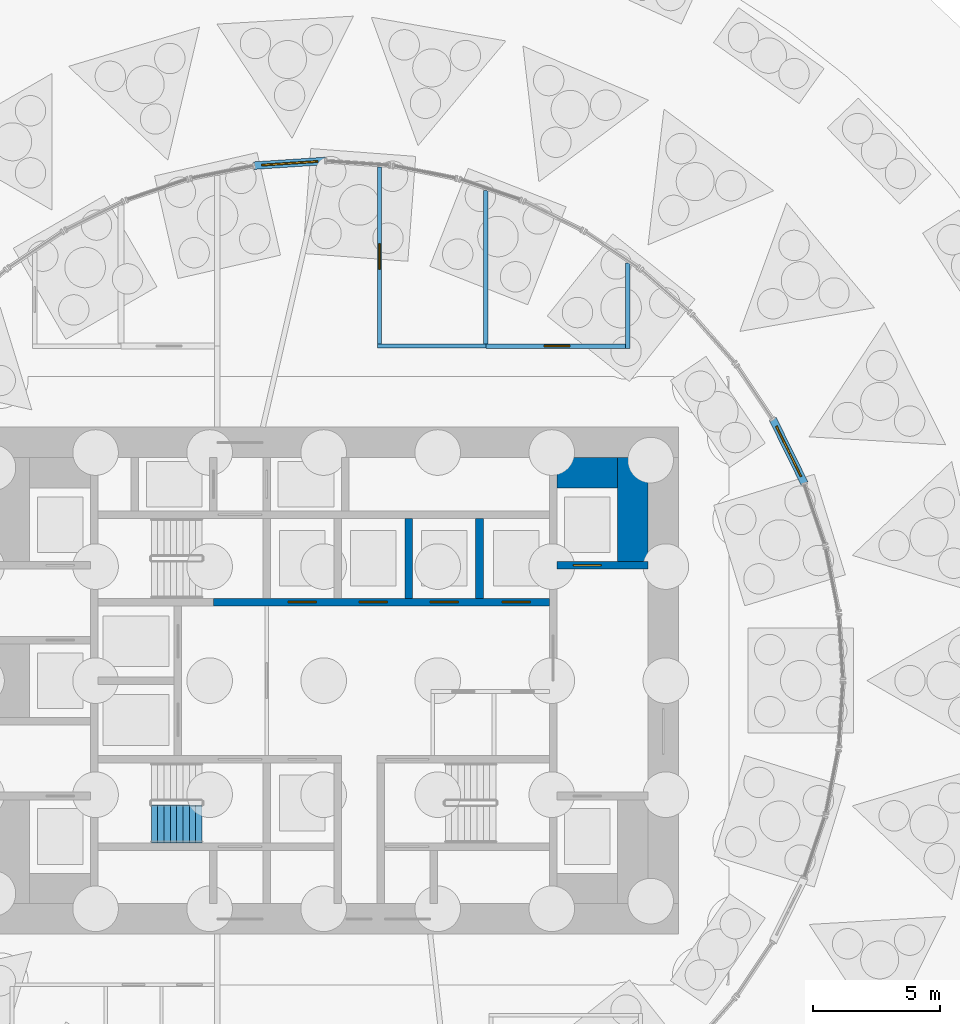
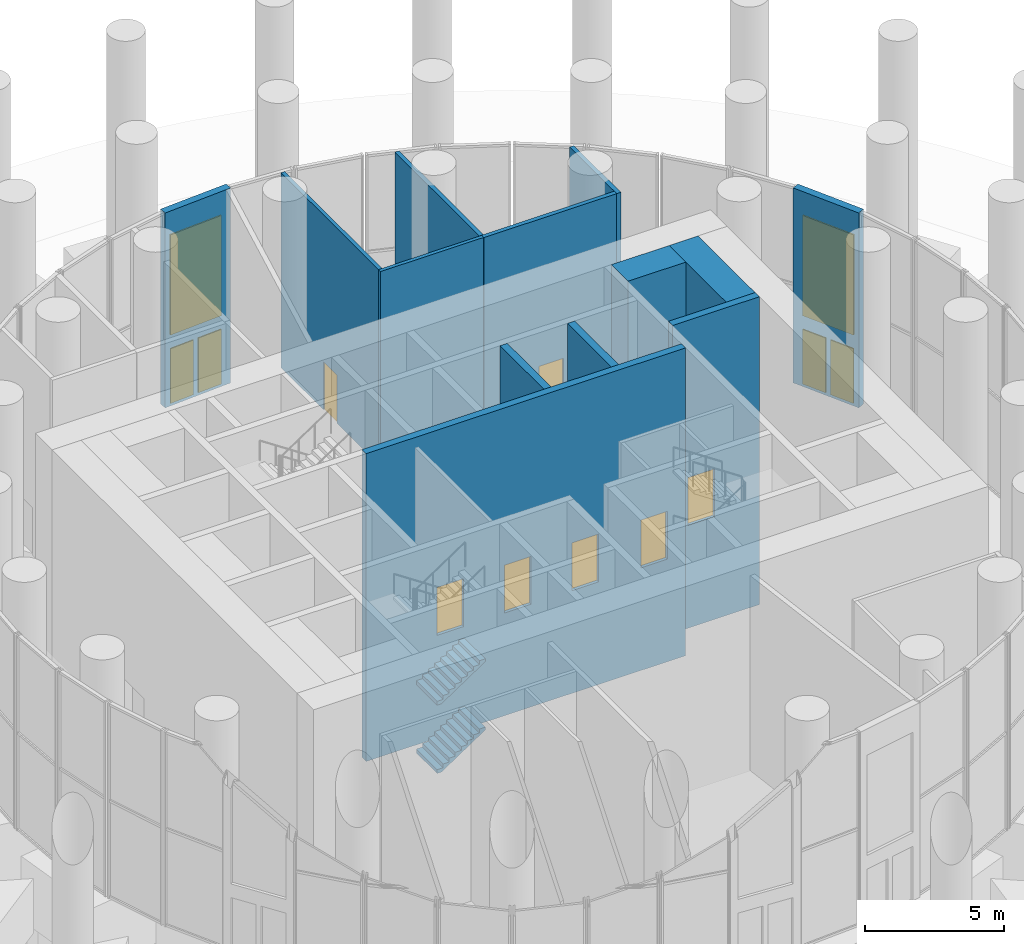
# One storey, part 15 of 20: 13 walls, 11 doors, 2 stair flights, 2 windows, 13 openings, 1 element without a shape of its own.
"""IFC4 building model written with IfcOpenShell, lengths in metres."""

from ifc_helpers import new_model, si_unit, direction, frame, frame_2d, origin, place, context, subcontext, project, spatial, polyline, rectangle, outline, extrude, material, layer, layer_set, type_object, element, fill, aggregate, save


model = new_model("IFC4")

# Units and contexts
model_context = context("Model", 3, precision=1e-05, world=origin(), true_north=direction((0.0, 1.0)))
body_context = subcontext(model_context, "Body", "Model", "MODEL_VIEW")
ifc_project = project(units=[si_unit("LENGTHUNIT", "METRE"), si_unit("AREAUNIT", "SQUARE_METRE"), si_unit("VOLUMEUNIT", "CUBIC_METRE"), si_unit("PLANEANGLEUNIT", "RADIAN"), si_unit("MASSUNIT", "GRAM", prefix="KILO")], contexts=[model_context])

# Site, building, storey
site_placement = place(None, origin())
site = spatial("IfcSite", under=ifc_project, at=site_placement, CompositionType="ELEMENT")
building_placement = place(site_placement, origin())
building = spatial("IfcBuilding", under=site, at=building_placement, Name="Tracery Tower", CompositionType="ELEMENT")
storey_placement = place(building_placement, origin())
storey = spatial("IfcBuildingStorey", under=building, at=storey_placement, Name="L00", CompositionType="ELEMENT", Elevation=0.0)

# Wall
ifc_material_1 = material(Name="Plasterboard on steel studs", Category="steel")
ifc_layer_1 = layer(ifc_material_1, 0.175048828125)
ifc_layer_set_1 = layer_set([ifc_layer_1], Name="Compartment partition 175")
wall_type_1 = type_object("IfcWallType", Name="Compartment partition 175", PredefinedType="PARTITIONING", material=ifc_layer_set_1)
wall_1_placement = place(storey_placement, frame((6.39990234375, 19.34423828125, 0.0), z_axis=(0.0, 0.0, 1.0), x_axis=(0.0, -1.0, 0.0)))
element("IfcWall", 1, at=wall_1_placement, inside=storey, type_object=wall_type_1, Name="Compartment partition 175", PredefinedType="PARTITIONING", context=body_context, shape_type="SweptSolid", body=[
    extrude(rectangle(XDim=6.056640625, YDim=0.175048828125, at=frame_2d((3.0283203125, 0.0))), origin(), (0.0, 0.0, 1.0), 8.550048828125),
])

# Wall, opening, door
wall_2_placement = place(storey_placement, frame((6.39990234375, 13.199951171875, 0.0), z_axis=(0.0, 0.0, 1.0), x_axis=(1.0, 0.0, 0.0)))
wall_2 = element("IfcWall", 2, at=wall_2_placement, inside=storey, type_object=wall_type_1, Name="Compartment partition 175", PredefinedType="PARTITIONING", context=body_context, shape_type="SweptSolid", body=[
    extrude(rectangle(XDim=5.5126953125, YDim=0.175048828125, at=frame_2d((2.75634765625, 0.0))), origin(), (0.0, 0.0, 1.0), 8.550048828125),
])
opening_1_placement = place(wall_2_placement, frame((2.300048828125, 0.0, 0.0)))
opening_1 = element("IfcOpeningElement", 3, at=opening_1_placement, cuts=wall_2, Name="Opening SB-L00-03", PredefinedType="OPENING", context=body_context, shape_type="SweptSolid", body=[
    extrude(rectangle(XDim=1.0, YDim=2.10009765625, at=frame_2d((0.5, 1.050048828125))), frame((0.0, 0.08740234375, 0.0), z_axis=(0.0, -1.0, 0.0), x_axis=(1.0, 0.0, 0.0)), (0.0, 0.0, 1.0), 0.175048828125),
])
ifc_material_2 = material(Name="Timber door leaf", Category="wood")
door_type_1 = type_object("IfcDoorType", Name="Public room door 1000", OperationType="NOTDEFINED", PredefinedType="DOOR", material=ifc_material_2)
door_1_placement = place(opening_1_placement, origin())
door_1 = element("IfcDoor", 4, at=door_1_placement, inside=storey, type_object=door_type_1, Name="Public room door 1000", OperationType="SINGLE_SWING_RIGHT", OverallHeight=2.10009765625, OverallWidth=1.0, PredefinedType="DOOR", context=body_context, shape_type="SweptSolid", body=[
    extrude(rectangle(XDim=1.0, YDim=2.10009765625, at=frame_2d((0.5, 1.050048828125))), frame((0.0, 0.02490234375, 0.0), z_axis=(0.0, -1.0, 0.0), x_axis=(1.0, 0.0, 0.0)), (0.0, 0.0, 1.0), 0.050048828125),
])
fill(opening_1, door_1)

# Walls
wall_3_placement = place(storey_placement, frame((12.0, 16.486328125, 0.0), z_axis=(0.0, 0.0, 1.0), x_axis=(0.0, -1.0, 0.0)))
element("IfcWall", 5, at=wall_3_placement, inside=storey, type_object=wall_type_1, Name="Compartment partition 175", PredefinedType="PARTITIONING", context=body_context, shape_type="SweptSolid", body=[
    extrude(rectangle(XDim=3.373779296875, YDim=0.175048828125, at=frame_2d((1.68701171875, 0.0))), origin(), (0.0, 0.0, 1.0), 8.550048828125),
])
ifc_material_3 = material(Name="Concrete C60/75", Category="concrete")
ifc_layer_2 = layer(ifc_material_3, 1.199951171875)
ifc_layer_set_2 = layer_set([ifc_layer_2], Name="Core strip wall 1200 C60 from pit")
wall_type_2 = type_object("IfcWallType", Name="Core strip wall 1200 C60 from pit", PredefinedType="SOLIDWALL", material=ifc_layer_set_2)
wall_4_placement = place(storey_placement, frame((12.199951171875, 4.699951171875, -4.5), z_axis=(0.0, 0.0, 1.0), x_axis=(0.0, 1.0, 0.0)))
element("IfcWall", 6, at=wall_4_placement, inside=storey, type_object=wall_type_2, Name="L00 wing strip +1 4.55", PredefinedType="SOLIDWALL", context=body_context, shape_type="SweptSolid", body=[
    extrude(rectangle(XDim=4.10009765625, YDim=1.199951171875, at=frame_2d((2.050048828125, 0.0))), origin(), (0.0, 0.0, 1.0), 13.5),
])
wall_5_placement = place(storey_placement, frame((9.199951171875, 8.199951171875, -4.5), z_axis=(0.0, 0.0, 1.0), x_axis=(1.0, 0.0, 0.0)))
element("IfcWall", 7, at=wall_5_placement, inside=storey, type_object=wall_type_2, Name="L00 wing corner +1 +8.2", PredefinedType="SOLIDWALL", context=body_context, shape_type="SweptSolid", body=[
    extrude(rectangle(XDim=2.400146484375, YDim=1.199951171875, at=frame_2d((1.2001953125, 0.0))), origin(), (0.0, 0.0, 1.0), 13.5),
])

# Wall, opening, door
ifc_material_4 = material(Name="Plasterboard on steel studs", Category="steel")
ifc_layer_3 = layer(ifc_material_4, 0.14990234375)
ifc_layer_set_3 = layer_set([ifc_layer_3], Name="Corridor partition 150")
wall_type_3 = type_object("IfcWallType", Name="Corridor partition 150", PredefinedType="PARTITIONING", material=ifc_layer_set_3)
wall_6_placement = place(storey_placement, frame((2.199951171875, 20.2744140625, 0.0), z_axis=(0.0, 0.0, 1.0), x_axis=(0.0, -1.0, 0.0)))
wall_6 = element("IfcWall", 8, at=wall_6_placement, inside=storey, type_object=wall_type_3, Name="Corridor partition 150", PredefinedType="PARTITIONING", context=body_context, shape_type="SweptSolid", body=[
    extrude(rectangle(XDim=6.99951171875, YDim=0.14990234375, at=frame_2d((3.499755859375, 0.0))), origin(), (0.0, 0.0, 1.0), 8.550048828125),
])
opening_2_placement = place(wall_6_placement, frame((3.037109375, 0.0, 0.0)))
opening_2 = element("IfcOpeningElement", 9, at=opening_2_placement, cuts=wall_6, Name="Opening SB-L00-04", PredefinedType="OPENING", context=body_context, shape_type="SweptSolid", body=[
    extrude(rectangle(XDim=1.0, YDim=2.10009765625, at=frame_2d((0.5, 1.050048828125))), frame((0.0, 0.074951171875, 0.0), z_axis=(0.0, -1.0, 0.0), x_axis=(1.0, 0.0, 0.0)), (0.0, 0.0, 1.0), 0.14990234375),
])
door_2_placement = place(opening_2_placement, origin())
door_2 = element("IfcDoor", 10, at=door_2_placement, inside=storey, type_object=door_type_1, Name="Public room door 1000", OperationType="SINGLE_SWING_RIGHT", OverallHeight=2.10009765625, OverallWidth=1.0, PredefinedType="DOOR", context=body_context, shape_type="SweptSolid", body=[
    extrude(rectangle(XDim=1.0, YDim=2.10009765625, at=frame_2d((0.5, 1.050048828125))), frame((0.0, 0.02490234375, 0.0), z_axis=(0.0, -1.0, 0.0), x_axis=(1.0, 0.0, 0.0)), (0.0, 0.0, 1.0), 0.050048828125),
])
fill(opening_2, door_2)

# Wall
wall_7_placement = place(storey_placement, frame((6.39990234375, 13.199951171875, 0.0), z_axis=(0.0, 0.0, 1.0), x_axis=(-1.0, 0.0, 0.0)))
element("IfcWall", 11, at=wall_7_placement, inside=storey, type_object=wall_type_3, Name="Corridor partition 150", PredefinedType="PARTITIONING", context=body_context, shape_type="SweptSolid", body=[
    extrude(rectangle(XDim=4.27490234375, YDim=0.14990234375, at=frame_2d((2.137451171875, 0.0))), origin(), (0.0, 0.0, 1.0), 8.550048828125),
])

# Wall, openings, window, doors
ifc_material_5 = material(Name="Precast concrete C50/60", Category="concrete")
ifc_layer_4 = layer(ifc_material_5, 0.300048828125)
ifc_layer_set_4 = layer_set([ifc_layer_4], Name="Entrance portal wall 300")
wall_type_4 = type_object("IfcWallType", Name="Entrance portal wall 300", PredefinedType="STANDARD", material=ifc_layer_set_4)
wall_8_placement = place(storey_placement, frame((18.97265625, 7.777587890625, 0.0), z_axis=(0.0, 0.0, 1.0), x_axis=(-0.442275384482, 0.896879303073, 0.0)))
wall_8 = element("IfcWall", 12, at=wall_8_placement, inside=storey, type_object=wall_type_4, Name="Entrance portal 1", PredefinedType="STANDARD", context=body_context, shape_type="SweptSolid", body=[
    extrude(rectangle(XDim=2.831787109375, YDim=0.300048828125, at=frame_2d((1.416015625, 0.0))), origin(), (0.0, 0.0, 1.0), 8.550048828125),
])
opening_3_placement = place(wall_8_placement, frame((0.31591796875, 0.0, 0.0)))
opening_3 = element("IfcOpeningElement", 13, at=opening_3_placement, cuts=wall_8, Name="Opening ED901", PredefinedType="OPENING", context=body_context, shape_type="SweptSolid", body=[
    extrude(rectangle(XDim=1.0, YDim=2.39990234375, at=frame_2d((0.5, 1.199951171875))), frame((0.0, 0.14990234375, 0.0), z_axis=(0.0, -1.0, 0.0), x_axis=(1.0, 0.0, 0.0)), (0.0, 0.0, 1.0), 0.300048828125),
])
opening_4_placement = place(wall_8_placement, frame((1.515869140625, 0.0, 0.0)))
opening_4 = element("IfcOpeningElement", 14, at=opening_4_placement, cuts=wall_8, Name="Opening ED902", PredefinedType="OPENING", context=body_context, shape_type="SweptSolid", body=[
    extrude(rectangle(XDim=1.0, YDim=2.39990234375, at=frame_2d((0.5, 1.199951171875))), frame((0.0, 0.14990234375, 0.0), z_axis=(0.0, -1.0, 0.0), x_axis=(1.0, 0.0, 0.0)), (0.0, 0.0, 1.0), 0.300048828125),
])
opening_5_placement = place(wall_8_placement, frame((0.31591796875, 0.0, 3.0)))
opening_5 = element("IfcOpeningElement", 15, at=opening_5_placement, cuts=wall_8, Name="Opening EW801", PredefinedType="OPENING", context=body_context, shape_type="SweptSolid", body=[
    extrude(rectangle(XDim=2.199951171875, YDim=4.39990234375, at=frame_2d((1.10009765625, 2.199951171875))), frame((0.0, 0.14990234375, 0.0), z_axis=(0.0, -1.0, 0.0), x_axis=(1.0, 0.0, 0.0)), (0.0, 0.0, 1.0), 0.300048828125),
])
ifc_material_6 = material(Name="Aluminium frame with tinted double glazing", Category="aluminium")
window_type = type_object("IfcWindowType", Name="Entrance fanlight 2200 x 4400", PartitioningType="SINGLE_PANEL", PredefinedType="WINDOW", material=ifc_material_6)
window_1_placement = place(opening_5_placement, origin())
window_1 = element("IfcWindow", 16, at=window_1_placement, inside=storey, type_object=window_type, Name="Entrance fanlight EW801", OverallHeight=4.39990234375, OverallWidth=2.199951171875, PartitioningType="SINGLE_PANEL", PredefinedType="WINDOW", context=body_context, shape_type="SweptSolid", body=[
    extrude(rectangle(XDim=2.199951171875, YDim=4.39990234375, at=frame_2d((1.10009765625, 2.199951171875))), frame((0.0, 0.030029296875, 0.0), z_axis=(0.0, -1.0, 0.0), x_axis=(1.0, 0.0, 0.0)), (0.0, 0.0, 1.0), 0.06005859375),
])
fill(opening_5, window_1)
ifc_material_7 = material(Name="Glazed aluminium door", Category="aluminium")
door_type_2 = type_object("IfcDoorType", Name="Pavilion entrance door 1000 x 2400", OperationType="NOTDEFINED", PredefinedType="DOOR", material=ifc_material_7)
door_3_placement = place(opening_3_placement, origin())
door_3 = element("IfcDoor", 17, at=door_3_placement, inside=storey, type_object=door_type_2, Name="Entrance door ED901", OperationType="SLIDING_TO_LEFT", OverallHeight=2.39990234375, OverallWidth=1.0, PredefinedType="DOOR", context=body_context, shape_type="SweptSolid", body=[
    extrude(rectangle(XDim=1.0, YDim=2.39990234375, at=frame_2d((0.5, 1.199951171875))), frame((0.0, 0.02490234375, 0.0), z_axis=(0.0, -1.0, 0.0), x_axis=(1.0, 0.0, 0.0)), (0.0, 0.0, 1.0), 0.050048828125),
])
fill(opening_3, door_3)
door_4_placement = place(opening_4_placement, origin())
door_4 = element("IfcDoor", 18, at=door_4_placement, inside=storey, type_object=door_type_2, Name="Entrance door ED902", OperationType="SLIDING_TO_RIGHT", OverallHeight=2.39990234375, OverallWidth=1.0, PredefinedType="DOOR", context=body_context, shape_type="SweptSolid", body=[
    extrude(rectangle(XDim=1.0, YDim=2.39990234375, at=frame_2d((0.5, 1.199951171875))), frame((0.0, 0.02490234375, 0.0), z_axis=(0.0, -1.0, 0.0), x_axis=(1.0, 0.0, 0.0)), (0.0, 0.0, 1.0), 0.050048828125),
])
fill(opening_4, door_4)

wall_9_placement = place(storey_placement, frame((0.07470703125, 20.5048828125, 0.0), z_axis=(0.0, 0.0, 1.0), x_axis=(-0.997855933643, -0.065448725686, 0.0)))
wall_9 = element("IfcWall", 19, at=wall_9_placement, inside=storey, type_object=wall_type_4, Name="Entrance portal 2", PredefinedType="STANDARD", context=body_context, shape_type="SweptSolid", body=[
    extrude(rectangle(XDim=2.831298828125, YDim=0.300048828125, at=frame_2d((1.41552734375, 0.0))), origin(), (0.0, 0.0, 1.0), 8.550048828125),
])
opening_6_placement = place(wall_9_placement, frame((0.31591796875, 0.0, 0.0)))
opening_6 = element("IfcOpeningElement", 20, at=opening_6_placement, cuts=wall_9, Name="Opening ED903", PredefinedType="OPENING", context=body_context, shape_type="SweptSolid", body=[
    extrude(rectangle(XDim=1.0, YDim=2.39990234375, at=frame_2d((0.5, 1.199951171875))), frame((0.0, 0.14990234375, 0.0), z_axis=(0.0, -1.0, 0.0), x_axis=(1.0, 0.0, 0.0)), (0.0, 0.0, 1.0), 0.300048828125),
])
opening_7_placement = place(wall_9_placement, frame((1.515869140625, 0.0, 0.0)))
opening_7 = element("IfcOpeningElement", 21, at=opening_7_placement, cuts=wall_9, Name="Opening ED904", PredefinedType="OPENING", context=body_context, shape_type="SweptSolid", body=[
    extrude(rectangle(XDim=1.0, YDim=2.39990234375, at=frame_2d((0.5, 1.199951171875))), frame((0.0, 0.14990234375, 0.0), z_axis=(0.0, -1.0, 0.0), x_axis=(1.0, 0.0, 0.0)), (0.0, 0.0, 1.0), 0.300048828125),
])
opening_8_placement = place(wall_9_placement, frame((0.31591796875, 0.0, 3.0)))
opening_8 = element("IfcOpeningElement", 22, at=opening_8_placement, cuts=wall_9, Name="Opening EW802", PredefinedType="OPENING", context=body_context, shape_type="SweptSolid", body=[
    extrude(rectangle(XDim=2.199951171875, YDim=4.39990234375, at=frame_2d((1.10009765625, 2.199951171875))), frame((0.0, 0.14990234375, 0.0), z_axis=(0.0, -1.0, 0.0), x_axis=(1.0, 0.0, 0.0)), (0.0, 0.0, 1.0), 0.300048828125),
])
window_2_placement = place(opening_8_placement, origin())
window_2 = element("IfcWindow", 23, at=window_2_placement, inside=storey, type_object=window_type, Name="Entrance fanlight EW802", OverallHeight=4.39990234375, OverallWidth=2.199951171875, PartitioningType="SINGLE_PANEL", PredefinedType="WINDOW", context=body_context, shape_type="SweptSolid", body=[
    extrude(rectangle(XDim=2.199951171875, YDim=4.39990234375, at=frame_2d((1.10009765625, 2.199951171875))), frame((0.0, 0.030029296875, 0.0), z_axis=(0.0, -1.0, 0.0), x_axis=(1.0, 0.0, 0.0)), (0.0, 0.0, 1.0), 0.06005859375),
])
fill(opening_8, window_2)
door_5_placement = place(opening_6_placement, origin())
door_5 = element("IfcDoor", 24, at=door_5_placement, inside=storey, type_object=door_type_2, Name="Entrance door ED903", OperationType="SLIDING_TO_LEFT", OverallHeight=2.39990234375, OverallWidth=1.0, PredefinedType="DOOR", context=body_context, shape_type="SweptSolid", body=[
    extrude(rectangle(XDim=1.0, YDim=2.39990234375, at=frame_2d((0.5, 1.199951171875))), frame((0.0, 0.02490234375, 0.0), z_axis=(0.0, -1.0, 0.0), x_axis=(1.0, 0.0, 0.0)), (0.0, 0.0, 1.0), 0.050048828125),
])
fill(opening_6, door_5)
door_6_placement = place(opening_7_placement, origin())
door_6 = element("IfcDoor", 25, at=door_6_placement, inside=storey, type_object=door_type_2, Name="Entrance door ED904", OperationType="SLIDING_TO_RIGHT", OverallHeight=2.39990234375, OverallWidth=1.0, PredefinedType="DOOR", context=body_context, shape_type="SweptSolid", body=[
    extrude(rectangle(XDim=1.0, YDim=2.39990234375, at=frame_2d((0.5, 1.199951171875))), frame((0.0, 0.02490234375, 0.0), z_axis=(0.0, -1.0, 0.0), x_axis=(1.0, 0.0, 0.0)), (0.0, 0.0, 1.0), 0.050048828125),
])
fill(opening_7, door_6)

# Walls
ifc_material_8 = material(Name="Concrete C60/75", Category="concrete")
ifc_layer_5 = layer(ifc_material_8, 0.300048828125)
ifc_layer_set_5 = layer_set([ifc_layer_5], Name="Shaft wall 300 C60 from pit")
wall_type_5 = type_object("IfcWallType", Name="Shaft wall 300 C60 from pit", PredefinedType="SOLIDWALL", material=ifc_layer_set_5)
for number, where, z_axis, x_axis, name in (
    (26, (3.35009765625, 3.25, -4.5), (0.0, 0.0, 1.0), (0.0, 1.0, 0.0), "L00 HR sep 2"),
    (27, (6.14990234375, 3.25, -4.5), (0.0, 0.0, 1.0), (0.0, 1.0, 0.0), "L00 HR sep 3"),
):
    element("IfcWall", number, at=place(storey_placement, frame(where, z_axis=z_axis, x_axis=x_axis)), inside=storey, type_object=wall_type_5, Name=name, PredefinedType="SOLIDWALL", context=body_context, shape_type="SweptSolid", body=[
        extrude(rectangle(XDim=3.14990234375, YDim=0.300048828125, at=frame_2d((1.574951171875, 0.0))), origin(), (0.0, 0.0, 1.0), 13.5),
    ])

# Wall, opening, door
wall_10_placement = place(storey_placement, frame((9.199951171875, 4.550048828125, -4.5), z_axis=(0.0, 0.0, 1.0), x_axis=(1.0, 0.0, 0.0)))
wall_10 = element("IfcWall", 28, at=wall_10_placement, inside=storey, type_object=wall_type_5, Name="L00 wing shaft wall +1 +4.55", PredefinedType="SOLIDWALL", context=body_context, shape_type="SweptSolid", body=[
    extrude(rectangle(XDim=3.60009765625, YDim=0.300048828125, at=frame_2d((1.800048828125, 0.0))), origin(), (0.0, 0.0, 1.0), 13.5),
])
opening_9_placement = place(wall_10_placement, frame((0.64990234375, 0.0, 4.5)))
opening_9 = element("IfcOpeningElement", 29, at=opening_9_placement, cuts=wall_10, Name="Opening KD49", PredefinedType="OPENING", context=body_context, shape_type="SweptSolid", body=[
    extrude(rectangle(XDim=1.10009765625, YDim=2.10009765625, at=frame_2d((0.550048828125, 1.050048828125))), frame((0.0, 0.14990234375, 0.0), z_axis=(0.0, -1.0, 0.0), x_axis=(1.0, 0.0, 0.0)), (0.0, 0.0, 1.0), 0.300048828125),
])
ifc_material_9 = material(Name="Steel fire door", Category="steel")
door_type_3 = type_object("IfcDoorType", Name="Landing door 1100", OperationType="NOTDEFINED", PredefinedType="DOOR", material=ifc_material_9)
door_7_placement = place(opening_9_placement, origin())
door_7 = element("IfcDoor", 30, at=door_7_placement, inside=storey, type_object=door_type_3, Name="Landing door MR4", OperationType="SLIDING_TO_LEFT", OverallHeight=2.10009765625, OverallWidth=1.10009765625, PredefinedType="DOOR", context=body_context, shape_type="SweptSolid", body=[
    extrude(rectangle(XDim=1.10009765625, YDim=2.10009765625, at=frame_2d((0.550048828125, 1.050048828125))), frame((0.0, 0.02490234375, 0.0), z_axis=(0.0, -1.0, 0.0), x_axis=(1.0, 0.0, 0.0)), (0.0, 0.0, 1.0), 0.050048828125),
])
fill(opening_9, door_7)

# Wall, openings, doors
ifc_material_10 = material(Name="Concrete C60/75", Category="concrete")
ifc_layer_6 = layer(ifc_material_10, 0.300048828125)
ifc_layer_set_6 = layer_set([ifc_layer_6], Name="Stair wall 300 C60 from pit")
wall_type_6 = type_object("IfcWallType", Name="Stair wall 300 C60 from pit", PredefinedType="SOLIDWALL", material=ifc_layer_set_6)
wall_11_placement = place(storey_placement, frame((-4.35009765625, 3.10009765625, -4.5), z_axis=(0.0, 0.0, 1.0), x_axis=(1.0, 0.0, 0.0)))
wall_11 = element("IfcWall", 31, at=wall_11_placement, inside=storey, type_object=wall_type_6, Name="L00 row N", PredefinedType="SOLIDWALL", context=body_context, shape_type="SweptSolid", body=[
    extrude(rectangle(XDim=13.25, YDim=0.300048828125, at=frame_2d((6.625, 0.0))), origin(), (0.0, 0.0, 1.0), 13.5),
])
opening_10_placement = place(wall_11_placement, frame((2.949951171875, 0.0, 4.5)))
opening_10 = element("IfcOpeningElement", 32, at=opening_10_placement, cuts=wall_11, Name="Opening KD49", PredefinedType="OPENING", context=body_context, shape_type="SweptSolid", body=[
    extrude(rectangle(XDim=1.10009765625, YDim=2.10009765625, at=frame_2d((0.550048828125, 1.050048828125))), frame((0.0, 0.14990234375, 0.0), z_axis=(0.0, -1.0, 0.0), x_axis=(1.0, 0.0, 0.0)), (0.0, 0.0, 1.0), 0.300048828125),
])
opening_11_placement = place(wall_11_placement, frame((5.75, 0.0, 4.5)))
opening_11 = element("IfcOpeningElement", 33, at=opening_11_placement, cuts=wall_11, Name="Opening KD50", PredefinedType="OPENING", context=body_context, shape_type="SweptSolid", body=[
    extrude(rectangle(XDim=1.10009765625, YDim=2.10009765625, at=frame_2d((0.550048828125, 1.050048828125))), frame((0.0, 0.14990234375, 0.0), z_axis=(0.0, -1.0, 0.0), x_axis=(1.0, 0.0, 0.0)), (0.0, 0.0, 1.0), 0.300048828125),
])
opening_12_placement = place(wall_11_placement, frame((8.550048828125, 0.0, 4.5)))
opening_12 = element("IfcOpeningElement", 34, at=opening_12_placement, cuts=wall_11, Name="Opening KD49", PredefinedType="OPENING", context=body_context, shape_type="SweptSolid", body=[
    extrude(rectangle(XDim=1.10009765625, YDim=2.10009765625, at=frame_2d((0.550048828125, 1.050048828125))), frame((0.0, 0.14990234375, 0.0), z_axis=(0.0, -1.0, 0.0), x_axis=(1.0, 0.0, 0.0)), (0.0, 0.0, 1.0), 0.300048828125),
])
opening_13_placement = place(wall_11_placement, frame((11.39990234375, 0.0, 4.5)))
opening_13 = element("IfcOpeningElement", 35, at=opening_13_placement, cuts=wall_11, Name="Opening KD50", PredefinedType="OPENING", context=body_context, shape_type="SweptSolid", body=[
    extrude(rectangle(XDim=1.10009765625, YDim=2.10009765625, at=frame_2d((0.550048828125, 1.050048828125))), frame((0.0, 0.14990234375, 0.0), z_axis=(0.0, -1.0, 0.0), x_axis=(1.0, 0.0, 0.0)), (0.0, 0.0, 1.0), 0.300048828125),
])
door_8_placement = place(opening_10_placement, origin())
door_8 = element("IfcDoor", 36, at=door_8_placement, inside=storey, type_object=door_type_3, Name="Landing door HR1", OperationType="SLIDING_TO_LEFT", OverallHeight=2.10009765625, OverallWidth=1.10009765625, PredefinedType="DOOR", context=body_context, shape_type="SweptSolid", body=[
    extrude(rectangle(XDim=1.10009765625, YDim=2.10009765625, at=frame_2d((0.550048828125, 1.050048828125))), frame((0.0, 0.02490234375, 0.0), z_axis=(0.0, -1.0, 0.0), x_axis=(1.0, 0.0, 0.0)), (0.0, 0.0, 1.0), 0.050048828125),
])
fill(opening_10, door_8)
door_9_placement = place(opening_11_placement, origin())
door_9 = element("IfcDoor", 37, at=door_9_placement, inside=storey, type_object=door_type_3, Name="Landing door HR2", OperationType="SLIDING_TO_RIGHT", OverallHeight=2.10009765625, OverallWidth=1.10009765625, PredefinedType="DOOR", context=body_context, shape_type="SweptSolid", body=[
    extrude(rectangle(XDim=1.10009765625, YDim=2.10009765625, at=frame_2d((0.550048828125, 1.050048828125))), frame((0.0, 0.02490234375, 0.0), z_axis=(0.0, -1.0, 0.0), x_axis=(1.0, 0.0, 0.0)), (0.0, 0.0, 1.0), 0.050048828125),
])
fill(opening_11, door_9)
door_10_placement = place(opening_12_placement, origin())
door_10 = element("IfcDoor", 38, at=door_10_placement, inside=storey, type_object=door_type_3, Name="Landing door HR3", OperationType="SLIDING_TO_LEFT", OverallHeight=2.10009765625, OverallWidth=1.10009765625, PredefinedType="DOOR", context=body_context, shape_type="SweptSolid", body=[
    extrude(rectangle(XDim=1.10009765625, YDim=2.10009765625, at=frame_2d((0.550048828125, 1.050048828125))), frame((0.0, 0.02490234375, 0.0), z_axis=(0.0, -1.0, 0.0), x_axis=(1.0, 0.0, 0.0)), (0.0, 0.0, 1.0), 0.050048828125),
])
fill(opening_12, door_10)
door_11_placement = place(opening_13_placement, origin())
door_11 = element("IfcDoor", 39, at=door_11_placement, inside=storey, type_object=door_type_3, Name="Landing door OB1", OperationType="SLIDING_TO_RIGHT", OverallHeight=2.10009765625, OverallWidth=1.10009765625, PredefinedType="DOOR", context=body_context, shape_type="SweptSolid", body=[
    extrude(rectangle(XDim=1.10009765625, YDim=2.10009765625, at=frame_2d((0.550048828125, 1.050048828125))), frame((0.0, 0.02490234375, 0.0), z_axis=(0.0, -1.0, 0.0), x_axis=(1.0, 0.0, 0.0)), (0.0, 0.0, 1.0), 0.050048828125),
])
fill(opening_13, door_11)

# Stair, stair flights
ifc_material_11 = material(Name="Concrete C32/40", Category="concrete")
stair_type = type_object("IfcStairType", Name="Core stair 54 risers", PredefinedType="HALF_TURN_STAIR", material=ifc_material_11)
stair_placement = place(storey_placement, origin())
stair = element("IfcStair", 40, at=stair_placement, inside=storey, type_object=stair_type, Name="L00 stair ST1", PredefinedType="HALF_TURN_STAIR")
ifc_material_12 = material(Name="Concrete C32/40", Category="concrete")
stair_flight_type = type_object("IfcStairFlightType", Name="Core stair flight 9 risers", PredefinedType="STRAIGHT", material=ifc_material_12)
stair_flight_1_placement = place(storey_placement, frame((-6.800048828125, -5.64990234375, 1.5), z_axis=(0.0, 0.0, 1.0), x_axis=(1.0, 0.0, 0.0)))
stair_flight_1 = element("IfcStairFlight", 41, at=stair_flight_1_placement, type_object=stair_flight_type, Name="ST1 flight 2", NumberOfRisers=9, NumberOfTreads=8, PredefinedType="STRAIGHT", RiserHeight=0.166666667, TreadLength=0.25, context=body_context, shape_type="SweptSolid", body=[
    extrude(outline(polyline([(0.0, 0.0), (0.0, 0.002685546875), (0.0, 0.00537109375), (0.0, 0.00830078125), (0.0, 0.010986328125), (0.0, 0.013671875), (0.0, 0.016357421875), (0.0, 0.01904296875), (0.0, 0.02197265625), (0.0, 0.024658203125), (0.0, 0.02734375), (0.0, 0.030029296875), (0.0, 0.03271484375), (0.0, 0.035400390625), (0.0, 0.038330078125), (0.0, 0.041015625), (0.0, 0.043701171875), (0.0, 0.04638671875), (0.0, 0.049072265625), (0.0, 0.052001953125), (0.0, 0.0546875), (0.0, 0.057373046875), (0.0, 0.06005859375), (0.0, 0.062744140625), (0.0, 0.065673828125), (0.0, 0.068359375), (0.0, 0.071044921875), (0.0, 0.07373046875), (0.0, 0.076416015625), (0.0, 0.079345703125), (0.0, 0.08203125), (0.0, 0.084716796875), (0.0, 0.08740234375), (0.0, 0.090087890625), (0.0, 0.093017578125), (0.0, 0.095703125), (0.0, 0.098388671875), (0.0, 0.10107421875), (0.0, 0.103759765625), (0.0, 0.1064453125), (0.0, 0.109375), (0.0, 0.112060546875), (0.0, 0.11474609375), (0.0, 0.117431640625), (0.0, 0.1201171875), (0.0, 0.123046875), (0.0, 0.125732421875), (0.0, 0.12841796875), (0.0, 0.131103515625), (0.0, 0.1337890625), (0.0, 0.13671875), (0.0, 0.139404296875), (0.0, 0.14208984375), (0.0, 0.144775390625), (0.0, 0.1474609375), (0.0, 0.150390625), (0.0, 0.153076171875), (0.0, 0.15576171875), (0.0, 0.158447265625), (0.0, 0.1611328125), (0.0, 0.163818359375), (0.0, 0.166748046875), (0.25, 0.166748046875), (0.25, 0.333251953125), (0.5, 0.333251953125), (0.5, 0.5), (0.75, 0.5), (0.75, 0.666748046875), (1.0, 0.666748046875), (1.0, 0.833251953125), (1.25, 0.833251953125), (1.25, 1.0), (1.5, 1.0), (1.5, 1.166748046875), (1.75, 1.166748046875), (1.75, 1.333251953125), (2.0, 1.333251953125), (2.0, 1.331298828125), (2.0, 1.329345703125), (2.0, 1.327392578125), (2.0, 1.325439453125), (2.0, 1.323486328125), (2.0, 1.321533203125), (2.0, 1.319580078125), (2.0, 1.317626953125), (2.0, 1.315673828125), (2.0, 1.313720703125), (2.0, 1.3115234375), (2.0, 1.3095703125), (2.0, 1.3076171875), (2.0, 1.3056640625), (2.0, 1.3037109375), (2.0, 1.3017578125), (2.0, 1.2998046875), (2.0, 1.2978515625), (2.0, 1.2958984375), (2.0, 1.2939453125), (2.0, 1.2919921875), (2.0, 1.2900390625), (2.0, 1.2880859375), (2.0, 1.285888671875), (2.0, 1.283935546875), (2.0, 1.281982421875), (2.0, 1.280029296875), (2.0, 1.278076171875), (2.0, 1.276123046875), (2.0, 1.274169921875), (2.0, 1.272216796875), (2.0, 1.270263671875), (2.0, 1.268310546875), (2.0, 1.266357421875), (2.0, 1.264404296875), (2.0, 1.262451171875), (2.0, 1.26025390625), (2.0, 1.25830078125), (2.0, 1.25634765625), (2.0, 1.25439453125), (2.0, 1.25244140625), (2.0, 1.25048828125), (2.0, 1.24853515625), (2.0, 1.24658203125), (2.0, 1.24462890625), (2.0, 1.24267578125), (2.0, 1.24072265625), (2.0, 1.23876953125), (2.0, 1.23681640625), (2.0, 1.234619140625), (2.0, 1.232666015625), (2.0, 1.230712890625), (2.0, 1.228759765625), (2.0, 1.226806640625), (2.0, 1.224853515625), (2.0, 1.222900390625), (2.0, 1.220947265625), (2.0, 1.218994140625), (2.0, 1.217041015625), (2.0, 1.215087890625), (2.0, 1.213134765625), (0.180419921875, 0.0), (0.0, 0.0)])), frame((0.0, 0.75, 0.0), z_axis=(0.0, -1.0, 0.0), x_axis=(1.0, 0.0, 0.0)), (0.0, 0.0, 1.0), 1.5),
])
stair_flight_2_placement = place(storey_placement, frame((-6.800048828125, -5.64990234375, 4.5), z_axis=(0.0, 0.0, 1.0), x_axis=(1.0, 0.0, 0.0)))
stair_flight_2 = element("IfcStairFlight", 42, at=stair_flight_2_placement, type_object=stair_flight_type, Name="ST1 flight 4", NumberOfRisers=9, NumberOfTreads=8, PredefinedType="STRAIGHT", RiserHeight=0.166666667, TreadLength=0.25, context=body_context, shape_type="SweptSolid", body=[
    extrude(outline(polyline([(0.0, 0.0), (0.0, 0.002685546875), (0.0, 0.00537109375), (0.0, 0.00830078125), (0.0, 0.010986328125), (0.0, 0.013671875), (0.0, 0.016357421875), (0.0, 0.01904296875), (0.0, 0.02197265625), (0.0, 0.024658203125), (0.0, 0.02734375), (0.0, 0.030029296875), (0.0, 0.03271484375), (0.0, 0.035400390625), (0.0, 0.038330078125), (0.0, 0.041015625), (0.0, 0.043701171875), (0.0, 0.04638671875), (0.0, 0.049072265625), (0.0, 0.052001953125), (0.0, 0.0546875), (0.0, 0.057373046875), (0.0, 0.06005859375), (0.0, 0.062744140625), (0.0, 0.065673828125), (0.0, 0.068359375), (0.0, 0.071044921875), (0.0, 0.07373046875), (0.0, 0.076416015625), (0.0, 0.079345703125), (0.0, 0.08203125), (0.0, 0.084716796875), (0.0, 0.08740234375), (0.0, 0.090087890625), (0.0, 0.093017578125), (0.0, 0.095703125), (0.0, 0.098388671875), (0.0, 0.10107421875), (0.0, 0.103759765625), (0.0, 0.1064453125), (0.0, 0.109375), (0.0, 0.112060546875), (0.0, 0.11474609375), (0.0, 0.117431640625), (0.0, 0.1201171875), (0.0, 0.123046875), (0.0, 0.125732421875), (0.0, 0.12841796875), (0.0, 0.131103515625), (0.0, 0.1337890625), (0.0, 0.13671875), (0.0, 0.139404296875), (0.0, 0.14208984375), (0.0, 0.144775390625), (0.0, 0.1474609375), (0.0, 0.150390625), (0.0, 0.153076171875), (0.0, 0.15576171875), (0.0, 0.158447265625), (0.0, 0.1611328125), (0.0, 0.163818359375), (0.0, 0.166748046875), (0.25, 0.166748046875), (0.25, 0.333251953125), (0.5, 0.333251953125), (0.5, 0.5), (0.75, 0.5), (0.75, 0.666748046875), (1.0, 0.666748046875), (1.0, 0.833251953125), (1.25, 0.833251953125), (1.25, 1.0), (1.5, 1.0), (1.5, 1.166748046875), (1.75, 1.166748046875), (1.75, 1.333251953125), (2.0, 1.333251953125), (2.0, 1.331298828125), (2.0, 1.329345703125), (2.0, 1.327392578125), (2.0, 1.325439453125), (2.0, 1.323486328125), (2.0, 1.321533203125), (2.0, 1.319580078125), (2.0, 1.317626953125), (2.0, 1.315673828125), (2.0, 1.313720703125), (2.0, 1.3115234375), (2.0, 1.3095703125), (2.0, 1.3076171875), (2.0, 1.3056640625), (2.0, 1.3037109375), (2.0, 1.3017578125), (2.0, 1.2998046875), (2.0, 1.2978515625), (2.0, 1.2958984375), (2.0, 1.2939453125), (2.0, 1.2919921875), (2.0, 1.2900390625), (2.0, 1.2880859375), (2.0, 1.285888671875), (2.0, 1.283935546875), (2.0, 1.281982421875), (2.0, 1.280029296875), (2.0, 1.278076171875), (2.0, 1.276123046875), (2.0, 1.274169921875), (2.0, 1.272216796875), (2.0, 1.270263671875), (2.0, 1.268310546875), (2.0, 1.266357421875), (2.0, 1.264404296875), (2.0, 1.262451171875), (2.0, 1.26025390625), (2.0, 1.25830078125), (2.0, 1.25634765625), (2.0, 1.25439453125), (2.0, 1.25244140625), (2.0, 1.25048828125), (2.0, 1.24853515625), (2.0, 1.24658203125), (2.0, 1.24462890625), (2.0, 1.24267578125), (2.0, 1.24072265625), (2.0, 1.23876953125), (2.0, 1.23681640625), (2.0, 1.234619140625), (2.0, 1.232666015625), (2.0, 1.230712890625), (2.0, 1.228759765625), (2.0, 1.226806640625), (2.0, 1.224853515625), (2.0, 1.222900390625), (2.0, 1.220947265625), (2.0, 1.218994140625), (2.0, 1.217041015625), (2.0, 1.215087890625), (2.0, 1.213134765625), (0.180419921875, 0.0), (0.0, 0.0)])), frame((0.0, 0.75, 0.0), z_axis=(0.0, -1.0, 0.0), x_axis=(1.0, 0.0, 0.0)), (0.0, 0.0, 1.0), 1.5),
])
aggregate(stair, [stair_flight_1, stair_flight_2])

save(model, "model.ifc")
